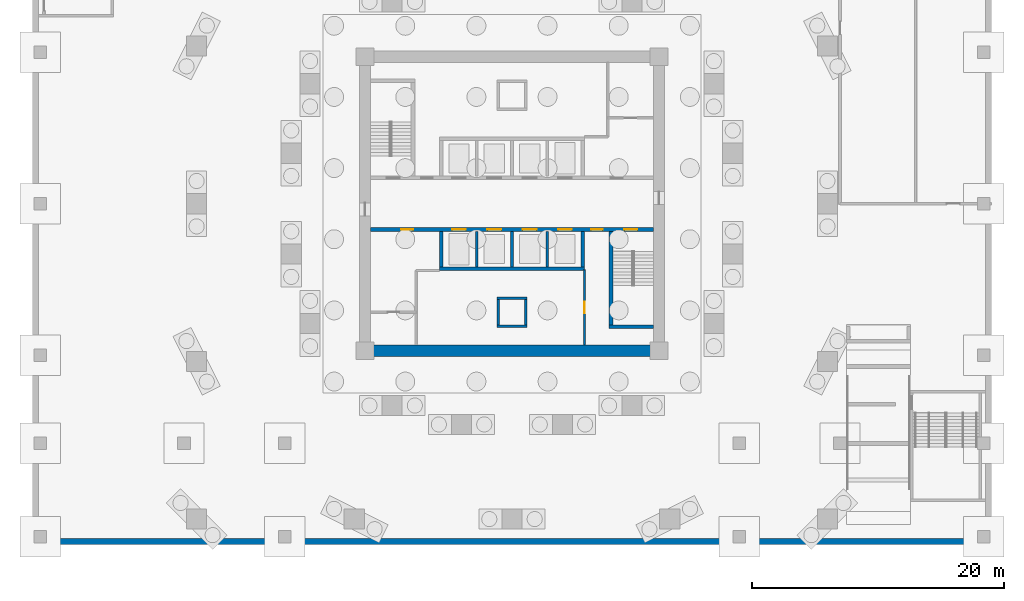
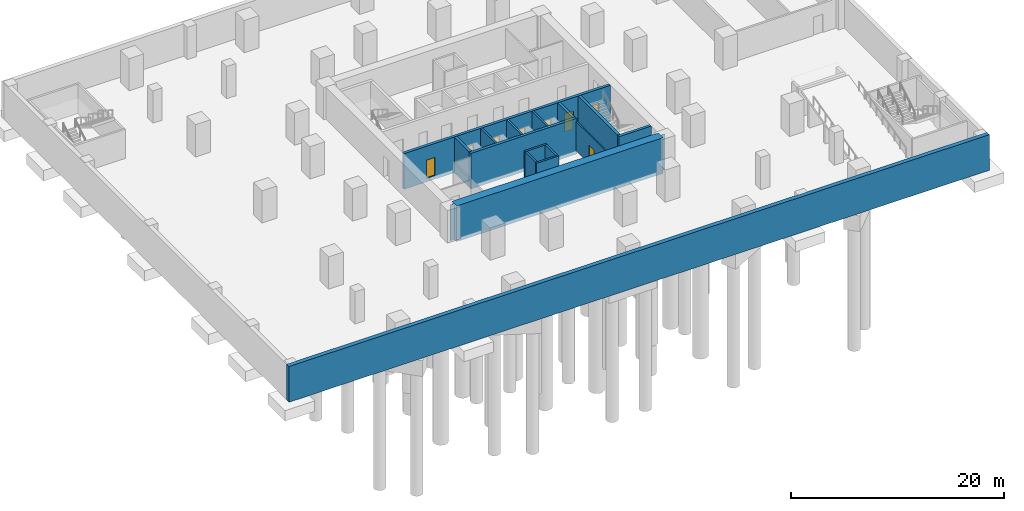
# One storey, part 4 of 11: 16 walls, 8 doors, 8 openings.
"""IFC4 building model written with IfcOpenShell, lengths in metres."""

from ifc_helpers import new_model, si_unit, direction, frame, frame_2d, origin, place, context, subcontext, project, spatial, polyline, rectangle, outline, extrude, material, layer, layer_set, type_object, element, fill, save


model = new_model("IFC4")

# Units and contexts
model_context = context("Model", 3, precision=1e-05, world=origin(), true_north=direction((0.0, 1.0)))
body_context = subcontext(model_context, "Body", "Model", "MODEL_VIEW")
ifc_project = project(units=[si_unit("LENGTHUNIT", "METRE"), si_unit("AREAUNIT", "SQUARE_METRE"), si_unit("VOLUMEUNIT", "CUBIC_METRE"), si_unit("PLANEANGLEUNIT", "RADIAN"), si_unit("MASSUNIT", "GRAM", prefix="KILO")], contexts=[model_context])

# Site, building, storey
site_placement = place(None, origin())
site = spatial("IfcSite", under=ifc_project, at=site_placement, CompositionType="ELEMENT")
building_placement = place(site_placement, origin())
building = spatial("IfcBuilding", under=site, at=building_placement, Name="Torsade Residences", CompositionType="ELEMENT")
storey_placement = place(building_placement, frame((0.0, 0.0, -7.39990234375)))
storey = spatial("IfcBuildingStorey", under=building, at=storey_placement, Name="B2", CompositionType="ELEMENT", Elevation=-7.39990234375)

# Wall
ifc_material_1 = material(Name="Concrete 50 MPa", Category="concrete")
ifc_layer_1 = layer(ifc_material_1, 0.449951171875)
ifc_layer_set_1 = layer_set([ifc_layer_1], Name="Concrete 50 MPa")
wall_type_1 = type_object("IfcWallType", Name="BASEMENT RETAINING WALL 450", PredefinedType="SHEAR", material=ifc_layer_set_1)
wall_1_placement = place(storey_placement, frame((2.0, 3.22509765625, -0.400146484375), z_axis=(0.0, 0.0, 1.0), x_axis=(1.0, 0.0, 0.0)))
element("IfcWall", 1, at=wall_1_placement, inside=storey, type_object=wall_type_1, Name="Retaining wall S B2", PredefinedType="SHEAR", context=body_context, shape_type="SweptSolid", body=[
    extrude(rectangle(XDim=76.0, YDim=0.449951171875, at=frame_2d((38.0, 0.0))), origin(), (0.0, 0.0, 1.0), 4.10009765625),
])

# Wall, openings, doors
ifc_material_2 = material(Name="Concrete 80 MPa", Category="concrete")
ifc_layer_2 = layer(ifc_material_2, 0.300048828125)
ifc_layer_set_2 = layer_set([ifc_layer_2], Name="Concrete 80 MPa")
wall_type_2 = type_object("IfcWallType", Name="CORE INTERNAL WALL 300", PredefinedType="SHEAR", material=ifc_layer_set_2)
wall_2_placement = place(storey_placement, frame((51.199951171875, 27.949951171875, -0.400146484375), z_axis=(0.0, 0.0, 1.0), x_axis=(-1.0, 0.0, 0.0)))
wall_2 = element("IfcWall", 2, at=wall_2_placement, inside=storey, type_object=wall_type_2, Name="Core wall LS B2", PredefinedType="SHEAR", context=body_context, shape_type="SweptSolid", body=[
    extrude(rectangle(XDim=22.39990234375, YDim=0.300048828125, at=frame_2d((11.199951171875, 0.0))), origin(), (0.0, 0.0, 1.0), 4.10009765625),
])
opening_1_placement = place(wall_2_placement, frame((19.0400390625, 0.0, 0.39990234375)))
opening_1 = element("IfcOpeningElement", 3, at=opening_1_placement, cuts=wall_2, Name="Opening D06", PredefinedType="OPENING", context=body_context, shape_type="SweptSolid", body=[
    extrude(rectangle(XDim=0.919921875, YDim=2.10009765625, at=frame_2d((0.4599609375, 1.050048828125))), frame((0.0, 0.159912109375, 0.0), z_axis=(0.0, -1.0, 0.0), x_axis=(1.0, 0.0, 0.0)), (0.0, 0.0, 1.0), 0.320068359375),
])
opening_2_placement = place(wall_2_placement, frame((1.264892578125, 0.0, 0.39990234375)))
opening_2 = element("IfcOpeningElement", 4, at=opening_2_placement, cuts=wall_2, Name="Opening D03", PredefinedType="OPENING", context=body_context, shape_type="SweptSolid", body=[
    extrude(rectangle(XDim=1.02001953125, YDim=2.10009765625, at=frame_2d((0.510009765625, 1.050048828125))), frame((0.0, 0.159912109375, 0.0), z_axis=(0.0, -1.0, 0.0), x_axis=(1.0, 0.0, 0.0)), (0.0, 0.0, 1.0), 0.320068359375),
])
opening_3_placement = place(wall_2_placement, frame((4.014892578125, 0.0, 0.39990234375)))
opening_3 = element("IfcOpeningElement", 5, at=opening_3_placement, cuts=wall_2, Name="Opening D06", PredefinedType="OPENING", context=body_context, shape_type="SweptSolid", body=[
    extrude(rectangle(XDim=0.919921875, YDim=2.10009765625, at=frame_2d((0.4599609375, 1.050048828125))), frame((0.0, 0.159912109375, 0.0), z_axis=(0.0, -1.0, 0.0), x_axis=(1.0, 0.0, 0.0)), (0.0, 0.0, 1.0), 0.320068359375),
])
opening_4_placement = place(wall_2_placement, frame((6.449951171875, 0.0, 0.39990234375)))
opening_4 = element("IfcOpeningElement", 6, at=opening_4_placement, cuts=wall_2, Name="Opening LD", PredefinedType="OPENING", context=body_context, shape_type="SweptSolid", body=[
    extrude(rectangle(XDim=1.10009765625, YDim=2.10009765625, at=frame_2d((0.550048828125, 1.050048828125))), frame((0.0, 0.159912109375, 0.0), z_axis=(0.0, -1.0, 0.0), x_axis=(1.0, 0.0, 0.0)), (0.0, 0.0, 1.0), 0.320068359375),
])
opening_5_placement = place(wall_2_placement, frame((9.25, 0.0, 0.39990234375)))
opening_5 = element("IfcOpeningElement", 7, at=opening_5_placement, cuts=wall_2, Name="Opening LD", PredefinedType="OPENING", context=body_context, shape_type="SweptSolid", body=[
    extrude(rectangle(XDim=1.10009765625, YDim=2.10009765625, at=frame_2d((0.550048828125, 1.050048828125))), frame((0.0, 0.159912109375, 0.0), z_axis=(0.0, -1.0, 0.0), x_axis=(1.0, 0.0, 0.0)), (0.0, 0.0, 1.0), 0.320068359375),
])
opening_6_placement = place(wall_2_placement, frame((12.050048828125, 0.0, 0.39990234375)))
opening_6 = element("IfcOpeningElement", 8, at=opening_6_placement, cuts=wall_2, Name="Opening LD", PredefinedType="OPENING", context=body_context, shape_type="SweptSolid", body=[
    extrude(rectangle(XDim=1.10009765625, YDim=2.10009765625, at=frame_2d((0.550048828125, 1.050048828125))), frame((0.0, 0.159912109375, 0.0), z_axis=(0.0, -1.0, 0.0), x_axis=(1.0, 0.0, 0.0)), (0.0, 0.0, 1.0), 0.320068359375),
])
opening_7_placement = place(wall_2_placement, frame((14.85009765625, 0.0, 0.39990234375)))
opening_7 = element("IfcOpeningElement", 9, at=opening_7_placement, cuts=wall_2, Name="Opening LD", PredefinedType="OPENING", context=body_context, shape_type="SweptSolid", body=[
    extrude(rectangle(XDim=1.10009765625, YDim=2.10009765625, at=frame_2d((0.550048828125, 1.050048828125))), frame((0.0, 0.159912109375, 0.0), z_axis=(0.0, -1.0, 0.0), x_axis=(1.0, 0.0, 0.0)), (0.0, 0.0, 1.0), 0.320068359375),
])
ifc_material_3 = material(Name="Steel-framed fire door", Category="steel")
door_type_1 = type_object("IfcDoorType", Name="FIRE DOOR 1020", OperationType="NOTDEFINED", PredefinedType="DOOR", material=ifc_material_3)
door_1_placement = place(opening_2_placement, origin())
door_1 = element("IfcDoor", 10, at=door_1_placement, inside=storey, type_object=door_type_1, Name="Exit door to fire-isolated stair ST2 B2", OperationType="SINGLE_SWING_RIGHT", OverallHeight=2.10009765625, OverallWidth=1.02001953125, PredefinedType="DOOR", context=body_context, shape_type="SweptSolid", body=[
    extrude(rectangle(XDim=1.02001953125, YDim=2.10009765625, at=frame_2d((0.510009765625, 1.050048828125))), frame((0.0, 0.02490234375, 0.0), z_axis=(0.0, -1.0, 0.0), x_axis=(1.0, 0.0, 0.0)), (0.0, 0.0, 1.0), 0.050048828125),
])
fill(opening_2, door_1)
ifc_material_4 = material(Name="Steel-framed fire door", Category="steel")
door_type_2 = type_object("IfcDoorType", Name="FIRE DOOR 920", OperationType="NOTDEFINED", PredefinedType="DOOR", material=ifc_material_4)
door_2_placement = place(opening_1_placement, origin())
door_2 = element("IfcDoor", 11, at=door_2_placement, inside=storey, type_object=door_type_2, Name="Door Lift lobby to Cleaner store", OperationType="SINGLE_SWING_LEFT", OverallHeight=2.10009765625, OverallWidth=0.919921875, PredefinedType="DOOR", context=body_context, shape_type="SweptSolid", body=[
    extrude(rectangle(XDim=0.919921875, YDim=2.10009765625, at=frame_2d((0.4599609375, 1.050048828125))), frame((0.0, 0.02490234375, 0.0), z_axis=(0.0, -1.0, 0.0), x_axis=(1.0, 0.0, 0.0)), (0.0, 0.0, 1.0), 0.050048828125),
])
fill(opening_1, door_2)
door_3_placement = place(opening_3_placement, origin())
door_3 = element("IfcDoor", 12, at=door_3_placement, inside=storey, type_object=door_type_2, Name="Door Lift lobby to Security and data store", OperationType="SINGLE_SWING_RIGHT", OverallHeight=2.10009765625, OverallWidth=0.919921875, PredefinedType="DOOR", context=body_context, shape_type="SweptSolid", body=[
    extrude(rectangle(XDim=0.919921875, YDim=2.10009765625, at=frame_2d((0.4599609375, 1.050048828125))), frame((0.0, 0.02490234375, 0.0), z_axis=(0.0, -1.0, 0.0), x_axis=(1.0, 0.0, 0.0)), (0.0, 0.0, 1.0), 0.050048828125),
])
fill(opening_3, door_3)
ifc_material_5 = material(Name="Stainless steel lift landing door", Category="steel")
door_type_3 = type_object("IfcDoorType", Name="LIFT LANDING DOOR 1100", OperationType="SLIDING_TO_LEFT", PredefinedType="DOOR", material=ifc_material_5)
door_4_placement = place(opening_4_placement, origin())
door_4 = element("IfcDoor", 13, at=door_4_placement, inside=storey, type_object=door_type_3, Name="Lift LB1 landing door B2", OperationType="SLIDING_TO_LEFT", OverallHeight=2.10009765625, OverallWidth=1.10009765625, PredefinedType="DOOR", context=body_context, shape_type="SweptSolid", body=[
    extrude(rectangle(XDim=1.10009765625, YDim=2.10009765625, at=frame_2d((0.550048828125, 1.050048828125))), frame((0.0, 0.02490234375, 0.0), z_axis=(0.0, -1.0, 0.0), x_axis=(1.0, 0.0, 0.0)), (0.0, 0.0, 1.0), 0.050048828125),
])
fill(opening_4, door_4)
door_5_placement = place(opening_5_placement, origin())
door_5 = element("IfcDoor", 14, at=door_5_placement, inside=storey, type_object=door_type_3, Name="Lift LB2 landing door B2", OperationType="SLIDING_TO_LEFT", OverallHeight=2.10009765625, OverallWidth=1.10009765625, PredefinedType="DOOR", context=body_context, shape_type="SweptSolid", body=[
    extrude(rectangle(XDim=1.10009765625, YDim=2.10009765625, at=frame_2d((0.550048828125, 1.050048828125))), frame((0.0, 0.02490234375, 0.0), z_axis=(0.0, -1.0, 0.0), x_axis=(1.0, 0.0, 0.0)), (0.0, 0.0, 1.0), 0.050048828125),
])
fill(opening_5, door_5)
door_6_placement = place(opening_6_placement, origin())
door_6 = element("IfcDoor", 15, at=door_6_placement, inside=storey, type_object=door_type_3, Name="Lift LB3 landing door B2", OperationType="SLIDING_TO_LEFT", OverallHeight=2.10009765625, OverallWidth=1.10009765625, PredefinedType="DOOR", context=body_context, shape_type="SweptSolid", body=[
    extrude(rectangle(XDim=1.10009765625, YDim=2.10009765625, at=frame_2d((0.550048828125, 1.050048828125))), frame((0.0, 0.02490234375, 0.0), z_axis=(0.0, -1.0, 0.0), x_axis=(1.0, 0.0, 0.0)), (0.0, 0.0, 1.0), 0.050048828125),
])
fill(opening_6, door_6)
door_7_placement = place(opening_7_placement, origin())
door_7 = element("IfcDoor", 16, at=door_7_placement, inside=storey, type_object=door_type_3, Name="Lift FL2 landing door B2", OperationType="SLIDING_TO_LEFT", OverallHeight=2.10009765625, OverallWidth=1.10009765625, PredefinedType="DOOR", context=body_context, shape_type="SweptSolid", body=[
    extrude(rectangle(XDim=1.10009765625, YDim=2.10009765625, at=frame_2d((0.550048828125, 1.050048828125))), frame((0.0, 0.02490234375, 0.0), z_axis=(0.0, -1.0, 0.0), x_axis=(1.0, 0.0, 0.0)), (0.0, 0.0, 1.0), 0.050048828125),
])
fill(opening_7, door_7)

# Walls
wall_3_placement = place(storey_placement, frame((45.75, 24.85009765625, -0.400146484375), z_axis=(0.0, 0.0, 1.0), x_axis=(-1.0, 0.0, 0.0)))
element("IfcWall", 17, at=wall_3_placement, inside=storey, type_object=wall_type_2, Name="Core wall BS B2", PredefinedType="SHEAR", context=body_context, shape_type="SweptSolid", body=[
    extrude(rectangle(XDim=11.5, YDim=0.300048828125, at=frame_2d((5.75, 0.0))), origin(), (0.0, 0.0, 1.0), 4.10009765625),
])
for number, where, z_axis, x_axis, name in (
    (18, (45.60009765625, 27.800048828125, -0.400146484375), (0.0, 0.0, 1.0), (0.0, -1.0, 0.0), "Core wall DS0 B2"),
    (19, (34.39990234375, 27.800048828125, -0.400146484375), (0.0, 0.0, 1.0), (0.0, -1.0, 0.0), "Core wall DS4 B2"),
):
    element("IfcWall", number, at=place(storey_placement, frame(where, z_axis=z_axis, x_axis=x_axis)), inside=storey, type_object=wall_type_2, Name=name, PredefinedType="SHEAR", context=body_context, shape_type="SweptSolid", body=[
        extrude(rectangle(XDim=2.800048828125, YDim=0.300048828125, at=frame_2d((1.39990234375, 0.0))), origin(), (0.0, 0.0, 1.0), 4.10009765625),
    ])
wall_4_placement = place(storey_placement, frame((47.85009765625, 27.800048828125, -0.400146484375), z_axis=(0.0, 0.0, 1.0), x_axis=(0.0, -1.0, 0.0)))
element("IfcWall", 20, at=wall_4_placement, inside=storey, type_object=wall_type_2, Name="Core wall ST2W B2", PredefinedType="SHEAR", context=body_context, shape_type="SweptSolid", body=[
    extrude(rectangle(XDim=7.699951171875, YDim=0.300048828125, at=frame_2d((3.85009765625, 0.0))), origin(), (0.0, 0.0, 1.0), 4.10009765625),
])
wall_5_placement = place(storey_placement, frame((51.199951171875, 20.25, -0.400146484375), z_axis=(0.0, 0.0, 1.0), x_axis=(-1.0, 0.0, 0.0)))
element("IfcWall", 21, at=wall_5_placement, inside=storey, type_object=wall_type_2, Name="Core wall ST2S B2", PredefinedType="SHEAR", context=body_context, shape_type="SweptSolid", body=[
    extrude(rectangle(XDim=3.5, YDim=0.300048828125, at=frame_2d((1.75, 0.0))), origin(), (0.0, 0.0, 1.0), 4.10009765625),
])
ifc_material_6 = material(Name="Concrete 80 MPa", Category="concrete")
ifc_layer_3 = layer(ifc_material_6, 0.89990234375)
ifc_layer_set_3 = layer_set([ifc_layer_3], Name="Concrete 80 MPa")
wall_type_3 = type_object("IfcWallType", Name="CORE WALL 900", PredefinedType="SHEAR", material=ifc_layer_set_3)
wall_6_placement = place(storey_placement, frame((51.199951171875, 18.35009765625, -0.400146484375), z_axis=(0.0, 0.0, 1.0), x_axis=(-1.0, 0.0, 0.0)))
element("IfcWall", 22, at=wall_6_placement, inside=storey, type_object=wall_type_3, Name="Core wall S B2", PredefinedType="SHEAR", context=body_context, shape_type="SweptSolid", body=[
    extrude(outline(polyline([(0.0, -0.449951171875), (22.39990234375, -0.449951171875), (22.39990234375, -0.02490234375), (22.849853515625, -0.02490234375), (22.849853515625, 0.02490234375), (22.39990234375, 0.02490234375), (22.39990234375, 0.449951171875), (0.0, 0.449951171875), (0.0, 0.02490234375), (-0.449951171875, 0.02490234375), (-0.449951171875, -0.02490234375), (0.0, -0.02490234375), (0.0, -0.449951171875)])), origin(), (0.0, 0.0, 1.0), 4.10009765625),
])
ifc_material_7 = material(Name="Reinforced blockwork", Category="masonry")
ifc_layer_4 = layer(ifc_material_7, 0.199951171875)
ifc_layer_set_4 = layer_set([ifc_layer_4], Name="Reinforced blockwork")
wall_type_4 = type_object("IfcWallType", Name="LIFT SHAFT DIVIDING WALL 200", PredefinedType="SOLIDWALL", material=ifc_layer_set_4)
for number, where, z_axis, x_axis, name in (
    (23, (42.800048828125, 27.800048828125, -0.400146484375), (0.0, 0.0, 1.0), (0.0, -1.0, 0.0), "Core wall DS1 B2"),
    (24, (40.0, 27.800048828125, -0.400146484375), (0.0, 0.0, 1.0), (0.0, -1.0, 0.0), "Core wall DS2 B2"),
    (25, (37.199951171875, 27.800048828125, -0.400146484375), (0.0, 0.0, 1.0), (0.0, -1.0, 0.0), "Core wall DS3 B2"),
):
    element("IfcWall", number, at=place(storey_placement, frame(where, z_axis=z_axis, x_axis=x_axis)), inside=storey, type_object=wall_type_4, Name=name, PredefinedType="SOLIDWALL", context=body_context, shape_type="SweptSolid", body=[
        extrude(rectangle(XDim=2.800048828125, YDim=0.199951171875, at=frame_2d((1.39990234375, 0.0))), origin(), (0.0, 0.0, 1.0), 4.10009765625),
    ])
ifc_material_8 = material(Name="Reinforced blockwork", Category="masonry")
ifc_layer_5 = layer(ifc_material_8, 0.199951171875)
ifc_layer_set_5 = layer_set([ifc_layer_5], Name="Reinforced blockwork")
wall_type_5 = type_object("IfcWallType", Name="RISER SHAFT WALL 200", PredefinedType="SOLIDWALL", material=ifc_layer_set_5)
for number, where, z_axis, x_axis, name in (
    (26, (38.89990234375, 22.39990234375, -0.400146484375), (0.0, 0.0, 1.0), (0.0, -1.0, 0.0), "Core wall RS2a B2"),
    (27, (41.10009765625, 22.39990234375, -0.400146484375), (0.0, 0.0, 1.0), (0.0, -1.0, 0.0), "Core wall RS2b B2"),
):
    element("IfcWall", number, at=place(storey_placement, frame(where, z_axis=z_axis, x_axis=x_axis)), inside=storey, type_object=wall_type_5, Name=name, PredefinedType="SOLIDWALL", context=body_context, shape_type="SweptSolid", body=[
        extrude(rectangle(XDim=2.0, YDim=0.199951171875, at=frame_2d((1.0, 0.0))), origin(), (0.0, 0.0, 1.0), 4.10009765625),
    ])
for number, where, z_axis, x_axis, name in (
    (28, (38.800048828125, 22.5, -0.400146484375), (0.0, 0.0, 1.0), (1.0, 0.0, 0.0), "Core wall RS2c B2"),
    (29, (38.800048828125, 20.300048828125, -0.400146484375), (0.0, 0.0, 1.0), (1.0, 0.0, 0.0), "Core wall RS2d B2"),
):
    element("IfcWall", number, at=place(storey_placement, frame(where, z_axis=z_axis, x_axis=x_axis)), inside=storey, type_object=wall_type_5, Name=name, PredefinedType="SOLIDWALL", context=body_context, shape_type="SweptSolid", body=[
        extrude(rectangle(XDim=2.39990234375, YDim=0.199951171875, at=frame_2d((1.199951171875, 0.0))), origin(), (0.0, 0.0, 1.0), 4.10009765625),
    ])

# Wall, opening, door
ifc_material_9 = material(Name="Reinforced blockwork", Category="masonry")
ifc_layer_6 = layer(ifc_material_9, 0.14990234375)
ifc_layer_set_6 = layer_set([ifc_layer_6], Name="Reinforced blockwork")
wall_type_6 = type_object("IfcWallType", Name="SERVICE ROOM WALL 150", PredefinedType="SOLIDWALL", material=ifc_layer_set_6)
wall_7_placement = place(storey_placement, frame((45.75, 18.800048828125, 0.0), z_axis=(0.0, 0.0, 1.0), x_axis=(0.0, 1.0, 0.0)))
wall_7 = element("IfcWall", 30, at=wall_7_placement, inside=storey, type_object=wall_type_6, Name="Service room wall B2", PredefinedType="SOLIDWALL", context=body_context, shape_type="SweptSolid", body=[
    extrude(rectangle(XDim=5.949951171875, YDim=0.14990234375, at=frame_2d((2.97509765625, 0.0))), origin(), (0.0, 0.0, 1.0), 3.349853515625),
])
opening_8_placement = place(wall_7_placement, frame((2.514892578125, 0.0, 0.0)))
opening_8 = element("IfcOpeningElement", 31, at=opening_8_placement, cuts=wall_7, Name="Opening D06", PredefinedType="OPENING", context=body_context, shape_type="SweptSolid", body=[
    extrude(rectangle(XDim=0.919921875, YDim=2.10009765625, at=frame_2d((0.4599609375, 1.050048828125))), frame((0.0, 0.0849609375, 0.0), z_axis=(0.0, -1.0, 0.0), x_axis=(1.0, 0.0, 0.0)), (0.0, 0.0, 1.0), 0.169921875),
])
door_8_placement = place(opening_8_placement, origin())
door_8 = element("IfcDoor", 32, at=door_8_placement, inside=storey, type_object=door_type_2, Name="Door Security and data store to Communications riser room", OperationType="SINGLE_SWING_LEFT", OverallHeight=2.10009765625, OverallWidth=0.919921875, PredefinedType="DOOR", context=body_context, shape_type="SweptSolid", body=[
    extrude(rectangle(XDim=0.919921875, YDim=2.10009765625, at=frame_2d((0.4599609375, 1.050048828125))), frame((0.0, 0.02490234375, 0.0), z_axis=(0.0, -1.0, 0.0), x_axis=(1.0, 0.0, 0.0)), (0.0, 0.0, 1.0), 0.050048828125),
])
fill(opening_8, door_8)

save(model, "model.ifc")
